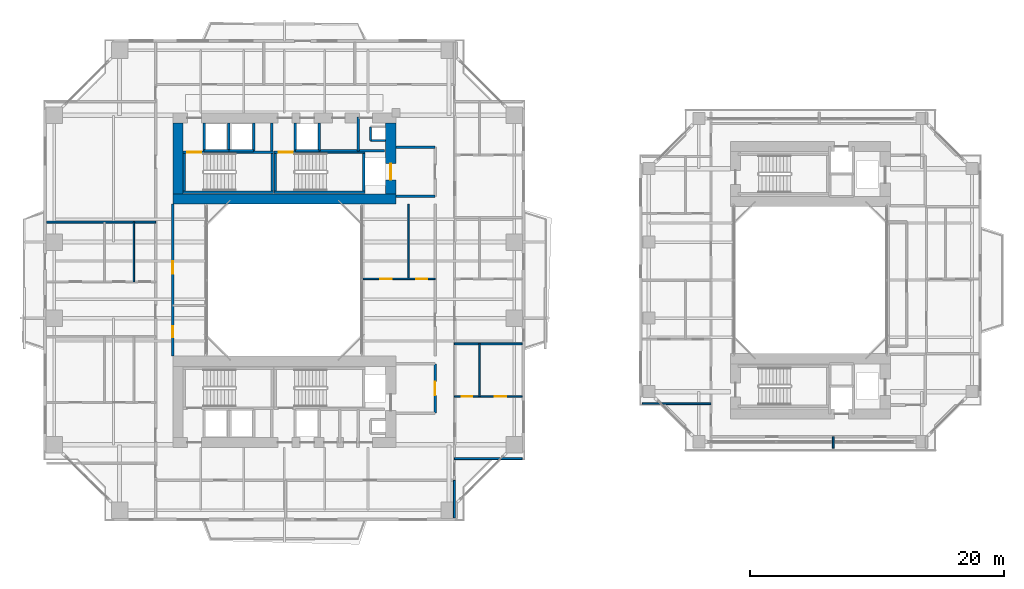
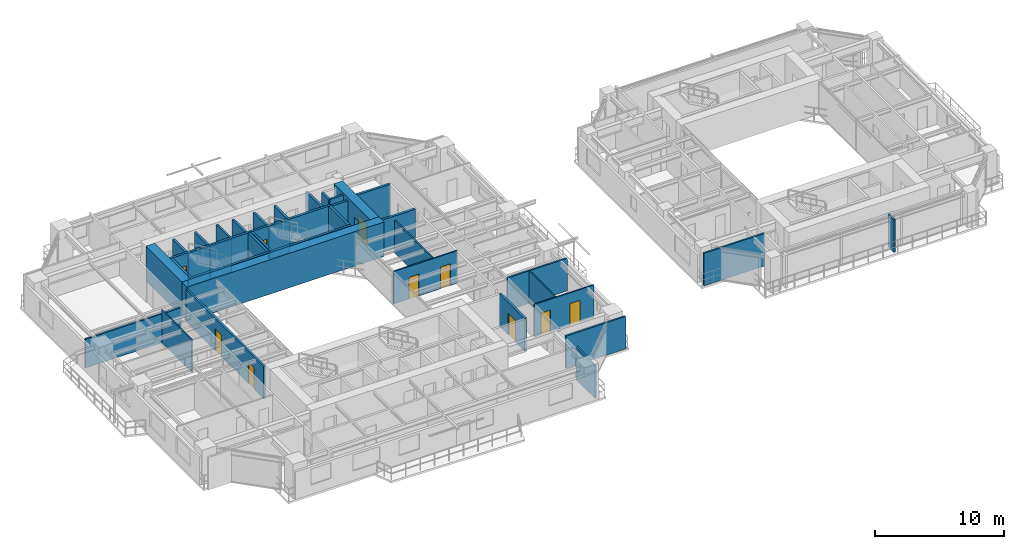
# One storey, part 14 of 24: 39 walls, 10 doors, 10 openings.
"""IFC4 building model written with IfcOpenShell, lengths in metres."""

from ifc_helpers import new_model, si_unit, direction, frame, frame_2d, origin, place, context, subcontext, project, spatial, rectangle, extrude, source, transform, mapped, material, layer, layer_set, type_object, element, fill, save


model = new_model("IFC4")

# Units and contexts
model_context = context("Model", 3, precision=1e-05, world=origin(), true_north=direction((0.0, 1.0)))
body_context = subcontext(model_context, "Body", "Model", "MODEL_VIEW")
ifc_project = project(units=[si_unit("LENGTHUNIT", "METRE"), si_unit("AREAUNIT", "SQUARE_METRE"), si_unit("VOLUMEUNIT", "CUBIC_METRE"), si_unit("PLANEANGLEUNIT", "RADIAN"), si_unit("MASSUNIT", "GRAM", prefix="KILO"), si_unit("THERMODYNAMICTEMPERATUREUNIT", "KELVIN"), si_unit("POWERUNIT", "WATT")], contexts=[model_context])

# Site, building, storey
site_placement = place(None, origin())
site = spatial("IfcSite", under=ifc_project, at=site_placement, CompositionType="ELEMENT")
building_placement = place(site_placement, origin())
building = spatial("IfcBuilding", under=site, at=building_placement, Name="Qiaomeng Ring Towers", CompositionType="ELEMENT")
storey_placement = place(building_placement, frame((0.0, 0.0, 36.0)))
storey = spatial("IfcBuildingStorey", under=building, at=storey_placement, Name="L09", CompositionType="ELEMENT", Elevation=36.0)

# Walls
ifc_material_1 = material(Name="Autoclaved aerated concrete block", Category="concrete")
ifc_layer_1 = layer(ifc_material_1, 0.199951171875, Name="Autoclaved aerated concrete block")
ifc_layer_set_1 = layer_set([ifc_layer_1], Name="Autoclaved aerated concrete block")
wall_type_1 = type_object("IfcWallType", Name="ARC-WL-PW1", PredefinedType="PARTITIONING", material=ifc_layer_set_1)
for number, where, z_axis, x_axis, name in (
    (1, (27.800048828125, 29.60009765625, 0.0), (0.0, 0.0, 1.0), (1.0, 0.0, 0.0), "L09 Interior Wall PW1"),
    (2, (27.800048828125, 33.5, 0.0), (0.0, 0.0, 1.0), (1.0, 0.0, 0.0), "L09 Interior Wall PW1"),
):
    element("IfcWall", number, at=place(storey_placement, frame(where, z_axis=z_axis, x_axis=x_axis)), inside=storey, type_object=wall_type_1, Name=name, PredefinedType="PARTITIONING", context=body_context, shape_type="SweptSolid", body=[
        extrude(rectangle(XDim=3.099853515625, YDim=0.199951171875, at=frame_2d((1.5498046875, 0.0))), origin(), (0.0, 0.0, 1.0), 3.070068359375),
    ])

# Wall, opening, door
wall_1_placement = place(storey_placement, frame((30.89990234375, 12.5, 0.0), z_axis=(0.0, 0.0, 1.0), x_axis=(0.0, 1.0, 0.0)))
wall_1 = element("IfcWall", 3, at=wall_1_placement, inside=storey, type_object=wall_type_1, Name="L09 Interior Wall PW1", PredefinedType="PARTITIONING", context=body_context, shape_type="SweptSolid", body=[
    extrude(rectangle(XDim=3.89990234375, YDim=0.199951171875, at=frame_2d((1.949951171875, 0.0))), origin(), (0.0, 0.0, 1.0), 3.070068359375),
])
opening_1_placement = place(wall_1_placement, frame((1.39990234375, 0.0, 0.0)))
opening_1 = element("IfcOpeningElement", 4, at=opening_1_placement, cuts=wall_1, Name="Opening FD3", PredefinedType="OPENING", context=body_context, shape_type="SweptSolid", body=[
    extrude(rectangle(XDim=1.10009765625, YDim=2.050048828125, at=frame_2d((0.550048828125, 1.02490234375))), frame((0.0, 0.10986328125, 0.0), z_axis=(0.0, -1.0, 0.0), x_axis=(1.0, 0.0, 0.0)), (0.0, 0.0, 1.0), 0.219970703125),
])
ifc_material_2 = material(Name="Galvanised steel", Category="steel")
door_type_1 = type_object("IfcDoorType", Name="ARC-DR-FD3", OperationType="NOTDEFINED", PredefinedType="DOOR", material=ifc_material_2)
shared_shape_1 = source(origin(), body_context, "Body", "SweptSolid", [
    extrude(rectangle(XDim=1.10009765625, YDim=2.050048828125, at=frame_2d((0.550048828125, 1.02490234375))), frame((0.0, 0.02490234375, 0.0), z_axis=(0.0, -1.0, 0.0), x_axis=(1.0, 0.0, 0.0)), (0.0, 0.0, 1.0), 0.050048828125),
])
door_1_placement = place(opening_1_placement, origin())
door_1 = element("IfcDoor", 5, at=door_1_placement, inside=storey, type_object=door_type_1, Name="L09 South FF Lobby Door", OperationType="SINGLE_SWING_LEFT", OverallHeight=2.050048828125, OverallWidth=1.10009765625, PredefinedType="DOOR", context=body_context, shape_type="MappedRepresentation", body=[
    mapped(shared_shape_1, transform((0.0, 0.0, 0.0), x_axis=(1.0, 0.0, 0.0), y_axis=(0.0, 1.0, 0.0), z_axis=(0.0, 0.0, 1.0), scale=1.0)),
])
fill(opening_1, door_1)

# Walls
for number, where, z_axis, x_axis, name in (
    (6, (12.679931640625, 33.18994140625, 0.0), (0.0, 0.0, 1.0), (0.0, 1.0, 0.0), "L09 Interior Wall PW1"),
    (7, (18.0, 33.18994140625, 0.0), (0.0, 0.0, 1.0), (0.0, 1.0, 0.0), "L09 Interior Wall PW1"),
    (8, (19.8798828125, 33.18994140625, 0.0), (0.0, 0.0, 1.0), (0.0, 1.0, 0.0), "L09 Interior Wall PW1"),
):
    element("IfcWall", number, at=place(storey_placement, frame(where, z_axis=z_axis, x_axis=x_axis)), inside=storey, type_object=wall_type_1, Name=name, PredefinedType="PARTITIONING", context=body_context, shape_type="SweptSolid", body=[
        extrude(rectangle(XDim=2.2099609375, YDim=0.199951171875, at=frame_2d((1.10498046875, 0.0))), origin(), (0.0, 0.0, 1.0), 3.070068359375),
    ])
wall_2_placement = place(storey_placement, frame((24.820068359375, 33.199951171875, 0.0), z_axis=(0.0, 0.0, 1.0), x_axis=(0.0, 1.0, 0.0)))
element("IfcWall", 9, at=wall_2_placement, inside=storey, type_object=wall_type_1, Name="L09 Interior Wall PW1", PredefinedType="PARTITIONING", context=body_context, shape_type="SweptSolid", body=[
    extrude(rectangle(XDim=2.650146484375, YDim=0.199951171875, at=frame_2d((1.3251953125, 0.0))), origin(), (0.0, 0.0, 1.0), 3.070068359375),
])
wall_3_placement = place(storey_placement, frame((21.75, 33.199951171875, 0.0), z_axis=(0.0, 0.0, 1.0), x_axis=(0.0, 1.0, 0.0)))
element("IfcWall", 10, at=wall_3_placement, inside=storey, type_object=wall_type_1, Name="L09 Interior Wall PW1", PredefinedType="PARTITIONING", context=body_context, shape_type="SweptSolid", body=[
    extrude(rectangle(XDim=2.199951171875, YDim=0.199951171875, at=frame_2d((1.10009765625, 0.0))), origin(), (0.0, 0.0, 1.0), 3.070068359375),
])
wall_4_placement = place(storey_placement, frame((21.75, 33.199951171875, 0.0), z_axis=(0.0, 0.0, 1.0), x_axis=(1.0, 0.0, 0.0)))
element("IfcWall", 11, at=wall_4_placement, inside=storey, type_object=wall_type_1, Name="L09 Interior Wall PW1", PredefinedType="PARTITIONING", context=body_context, shape_type="SweptSolid", body=[
    extrude(rectangle(XDim=5.169921875, YDim=0.199951171875, at=frame_2d((2.5849609375, 0.0))), origin(), (0.0, 0.0, 1.0), 3.070068359375),
])

# Wall, openings, doors
ifc_layer_2 = layer(ifc_material_1, 0.179931640625, Name="Autoclaved aerated concrete block")
ifc_layer_set_2 = layer_set([ifc_layer_2], Name="Autoclaved aerated concrete block")
wall_type_2 = type_object("IfcWallType", Name="ARC-WL-PW2", PredefinedType="PARTITIONING", material=ifc_layer_set_2)
wall_5_placement = place(storey_placement, frame((10.199951171875, 17.0, 0.0), z_axis=(0.0, 0.0, 1.0), x_axis=(0.0, 1.0, 0.0)))
wall_5 = element("IfcWall", 12, at=wall_5_placement, inside=storey, type_object=wall_type_2, Name="L09 Interior Wall PW2", PredefinedType="PARTITIONING", context=body_context, shape_type="SweptSolid", body=[
    extrude(rectangle(XDim=12.0, YDim=0.179931640625, at=frame_2d((6.0, 0.0))), origin(), (0.0, 0.0, 1.0), 3.070068359375),
])
opening_2_placement = place(wall_5_placement, frame((1.5, 0.0, 0.0)))
opening_2 = element("IfcOpeningElement", 13, at=opening_2_placement, cuts=wall_5, Name="Opening ID2", PredefinedType="OPENING", context=body_context, shape_type="SweptSolid", body=[
    extrude(rectangle(XDim=0.85009765625, YDim=2.050048828125, at=frame_2d((0.425048828125, 1.02490234375))), frame((0.0, 0.099853515625, 0.0), z_axis=(0.0, -1.0, 0.0), x_axis=(1.0, 0.0, 0.0)), (0.0, 0.0, 1.0), 0.199951171875),
])
opening_3_placement = place(wall_5_placement, frame((6.5, 0.0, 0.0)))
opening_3 = element("IfcOpeningElement", 14, at=opening_3_placement, cuts=wall_5, Name="Opening FD4", PredefinedType="OPENING", context=body_context, shape_type="SweptSolid", body=[
    extrude(rectangle(XDim=1.0, YDim=2.050048828125, at=frame_2d((0.5, 1.02490234375))), frame((0.0, 0.099853515625, 0.0), z_axis=(0.0, -1.0, 0.0), x_axis=(1.0, 0.0, 0.0)), (0.0, 0.0, 1.0), 0.199951171875),
])
ifc_material_3 = material(Name="Engineered fire-rated oak timber", Category="wood")
door_type_2 = type_object("IfcDoorType", Name="ARC-DR-FD4", OperationType="NOTDEFINED", PredefinedType="DOOR", material=ifc_material_3)
shared_shape_2 = source(origin(), body_context, "Body", "SweptSolid", [
    extrude(rectangle(XDim=1.0, YDim=2.050048828125, at=frame_2d((0.5, 1.02490234375))), frame((0.0, 0.02490234375, 0.0), z_axis=(0.0, -1.0, 0.0), x_axis=(1.0, 0.0, 0.0)), (0.0, 0.0, 1.0), 0.050048828125),
])
door_2_placement = place(opening_3_placement, origin())
door_2 = element("IfcDoor", 15, at=door_2_placement, inside=storey, type_object=door_type_2, Name="L09 Door FD4", OperationType="SINGLE_SWING_RIGHT", OverallHeight=2.050048828125, OverallWidth=1.0, PredefinedType="DOOR", context=body_context, shape_type="MappedRepresentation", body=[
    mapped(shared_shape_2, transform((0.0, 0.0, 0.0), x_axis=(1.0, 0.0, 0.0), y_axis=(0.0, 1.0, 0.0), z_axis=(0.0, 0.0, 1.0), scale=1.0)),
])
fill(opening_3, door_2)
ifc_material_4 = material(Name="Moisture-resistant engineered timber", Category="wood")
door_type_3 = type_object("IfcDoorType", Name="ARC-DR-ID2", OperationType="NOTDEFINED", PredefinedType="DOOR", material=ifc_material_4)
shared_shape_3 = source(origin(), body_context, "Body", "SweptSolid", [
    extrude(rectangle(XDim=0.85009765625, YDim=2.050048828125, at=frame_2d((0.425048828125, 1.02490234375))), frame((0.0, 0.02490234375, 0.0), z_axis=(0.0, -1.0, 0.0), x_axis=(1.0, 0.0, 0.0)), (0.0, 0.0, 1.0), 0.050048828125),
])
door_3_placement = place(opening_2_placement, origin())
door_3 = element("IfcDoor", 16, at=door_3_placement, inside=storey, type_object=door_type_3, Name="L09 Door ID2", OperationType="SINGLE_SWING_LEFT", OverallHeight=2.050048828125, OverallWidth=0.85009765625, PredefinedType="DOOR", context=body_context, shape_type="MappedRepresentation", body=[
    mapped(shared_shape_3, transform((0.0, 0.0, 0.0), x_axis=(1.0, 0.0, 0.0), y_axis=(0.0, 1.0, 0.0), z_axis=(0.0, 0.0, 1.0), scale=1.0)),
])
fill(opening_2, door_3)

# Walls
ifc_material_5 = material(Name="Gypsum fireboard steel-stud partition", Category="steel")
ifc_layer_3 = layer(ifc_material_5, 0.14990234375, Name="Gypsum fireboard steel-stud partition")
ifc_layer_set_3 = layer_set([ifc_layer_3], Name="Gypsum fireboard steel-stud partition")
wall_type_3 = type_object("IfcWallType", Name="ARC-WL-PW3", PredefinedType="PARTITIONING", material=ifc_layer_set_3)
wall_6_placement = place(storey_placement, frame((32.419921875, 4.25, 0.0), z_axis=(0.0, 0.0, 1.0), x_axis=(0.0, 1.0, 0.0)))
element("IfcWall", 17, at=wall_6_placement, inside=storey, type_object=wall_type_3, Name="L09 Interior Wall PW3", PredefinedType="PARTITIONING", context=body_context, shape_type="SweptSolid", body=[
    extrude(rectangle(XDim=2.9599609375, YDim=0.14990234375, at=frame_2d((1.47998046875, 0.0))), origin(), (0.0, 0.0, 1.0), 3.070068359375),
])
wall_7_placement = place(storey_placement, frame((0.25, 27.580078125, 0.0), z_axis=(0.0, 0.0, 1.0), x_axis=(1.0, 0.0, 0.0)))
element("IfcWall", 18, at=wall_7_placement, inside=storey, type_object=wall_type_3, Name="L09 Interior Wall PW3", PredefinedType="PARTITIONING", context=body_context, shape_type="SweptSolid", body=[
    extrude(rectangle(XDim=8.60009765625, YDim=0.14990234375, at=frame_2d((4.300048828125, 0.0))), origin(), (0.0, 0.0, 1.0), 2.715087890625),
])
for number, where, z_axis, x_axis, name in (
    (19, (32.419921875, 8.919921875, 0.0), (0.0, 0.0, 1.0), (1.0, 0.0, 0.0), "L09 Interior Wall PW3"),
    (20, (32.419921875, 17.969970703125, 0.0), (0.0, 0.0, 1.0), (1.0, 0.0, 0.0), "L09 Interior Wall PW3"),
):
    element("IfcWall", number, at=place(storey_placement, frame(where, z_axis=z_axis, x_axis=x_axis)), inside=storey, type_object=wall_type_3, Name=name, PredefinedType="PARTITIONING", context=body_context, shape_type="SweptSolid", body=[
        extrude(rectangle(XDim=5.330078125, YDim=0.14990234375, at=frame_2d((2.6650390625, 0.0))), origin(), (0.0, 0.0, 1.0), 3.070068359375),
    ])
wall_8_placement = place(storey_placement, frame((47.25, 13.25, 0.0), z_axis=(0.0, 0.0, 1.0), x_axis=(1.0, 0.0, 0.0)))
element("IfcWall", 21, at=wall_8_placement, inside=storey, type_object=wall_type_3, Name="L09 Interior Wall PW3", PredefinedType="PARTITIONING", context=body_context, shape_type="SweptSolid", body=[
    extrude(rectangle(XDim=5.39990234375, YDim=0.14990234375, at=frame_2d((2.699951171875, 0.0))), origin(), (0.0, 0.0, 1.0), 3.070068359375),
])
wall_9_placement = place(storey_placement, frame((62.300048828125, 9.75, 0.0), z_axis=(0.0, 0.0, 1.0), x_axis=(0.0, 1.0, 0.0)))
element("IfcWall", 22, at=wall_9_placement, inside=storey, type_object=wall_type_3, Name="L09 Interior Wall PW3", PredefinedType="PARTITIONING", context=body_context, shape_type="SweptSolid", body=[
    extrude(rectangle(XDim=0.89990234375, YDim=0.14990234375, at=frame_2d((0.449951171875, 0.0))), origin(), (0.0, 0.0, 1.0), 3.070068359375),
])
ifc_material_6 = material(Name="Moisture-resistant gypsum steel-stud partition", Category="steel")
ifc_layer_4 = layer(ifc_material_6, 0.1201171875, Name="Moisture-resistant gypsum steel-stud partition")
ifc_layer_set_4 = layer_set([ifc_layer_4], Name="Moisture-resistant gypsum steel-stud partition")
wall_type_4 = type_object("IfcWallType", Name="ARC-WL-PW4", PredefinedType="PLUMBINGWALL", material=ifc_layer_set_4)
wall_10_placement = place(storey_placement, frame((7.1298828125, 22.8701171875, 0.0), z_axis=(0.0, 0.0, 1.0), x_axis=(0.0, 1.0, 0.0)))
element("IfcWall", 23, at=wall_10_placement, inside=storey, type_object=wall_type_4, Name="L09 Interior Wall PW4", PredefinedType="PLUMBINGWALL", context=body_context, shape_type="SweptSolid", body=[
    extrude(rectangle(XDim=4.7099609375, YDim=0.1201171875, at=frame_2d((2.35498046875, 0.0))), origin(), (0.0, 0.0, 1.0), 3.070068359375),
])

# Wall, openings, doors
wall_11_placement = place(storey_placement, frame((32.419921875, 13.81005859375, 0.0), z_axis=(0.0, 0.0, 1.0), x_axis=(1.0, 0.0, 0.0)))
wall_11 = element("IfcWall", 24, at=wall_11_placement, inside=storey, type_object=wall_type_4, Name="L09 Interior Wall PW4", PredefinedType="PLUMBINGWALL", context=body_context, shape_type="SweptSolid", body=[
    extrude(rectangle(XDim=5.330078125, YDim=0.1201171875, at=frame_2d((2.6650390625, 0.0))), origin(), (0.0, 0.0, 1.0), 3.070068359375),
])
opening_4_placement = place(wall_11_placement, frame((0.570068359375, 0.0, 0.0)))
opening_4 = element("IfcOpeningElement", 25, at=opening_4_placement, cuts=wall_11, Name="Opening ID2", PredefinedType="OPENING", context=body_context, shape_type="SweptSolid", body=[
    extrude(rectangle(XDim=0.85009765625, YDim=2.050048828125, at=frame_2d((0.425048828125, 1.02490234375))), frame((0.0, 0.070068359375, 0.0), z_axis=(0.0, -1.0, 0.0), x_axis=(1.0, 0.0, 0.0)), (0.0, 0.0, 1.0), 0.14013671875),
])
opening_5_placement = place(wall_11_placement, frame((3.18994140625, 0.0, 0.0)))
opening_5 = element("IfcOpeningElement", 26, at=opening_5_placement, cuts=wall_11, Name="Opening ID1", PredefinedType="OPENING", context=body_context, shape_type="SweptSolid", body=[
    extrude(rectangle(XDim=0.89990234375, YDim=2.050048828125, at=frame_2d((0.449951171875, 1.02490234375))), frame((0.0, 0.070068359375, 0.0), z_axis=(0.0, -1.0, 0.0), x_axis=(1.0, 0.0, 0.0)), (0.0, 0.0, 1.0), 0.14013671875),
])
door_4_placement = place(opening_4_placement, origin())
door_4 = element("IfcDoor", 27, at=door_4_placement, inside=storey, type_object=door_type_3, Name="L09 Door ID2", OperationType="SINGLE_SWING_LEFT", OverallHeight=2.050048828125, OverallWidth=0.85009765625, PredefinedType="DOOR", context=body_context, shape_type="MappedRepresentation", body=[
    mapped(shared_shape_3, transform((0.0, 0.0, 0.0), x_axis=(1.0, 0.0, 0.0), y_axis=(0.0, 1.0, 0.0), z_axis=(0.0, 0.0, 1.0), scale=1.0)),
])
fill(opening_4, door_4)
ifc_material_7 = material(Name="Engineered oak timber", Category="wood")
door_type_4 = type_object("IfcDoorType", Name="ARC-DR-ID1", OperationType="NOTDEFINED", PredefinedType="DOOR", material=ifc_material_7)
shared_shape_4 = source(origin(), body_context, "Body", "SweptSolid", [
    extrude(rectangle(XDim=0.89990234375, YDim=2.050048828125, at=frame_2d((0.449951171875, 1.02490234375))), frame((0.0, 0.02490234375, 0.0), z_axis=(0.0, -1.0, 0.0), x_axis=(1.0, 0.0, 0.0)), (0.0, 0.0, 1.0), 0.050048828125),
])
door_5_placement = place(opening_5_placement, origin())
door_5 = element("IfcDoor", 28, at=door_5_placement, inside=storey, type_object=door_type_4, Name="L09 Door ID1", OperationType="SINGLE_SWING_RIGHT", OverallHeight=2.050048828125, OverallWidth=0.89990234375, PredefinedType="DOOR", context=body_context, shape_type="MappedRepresentation", body=[
    mapped(shared_shape_4, transform((0.0, 0.0, 0.0), x_axis=(1.0, 0.0, 0.0), y_axis=(0.0, 1.0, 0.0), z_axis=(0.0, 0.0, 1.0), scale=1.0)),
])
fill(opening_5, door_5)

# Wall
wall_12_placement = place(storey_placement, frame((34.389892578125, 13.81005859375, 0.0), z_axis=(0.0, 0.0, 1.0), x_axis=(0.0, 1.0, 0.0)))
element("IfcWall", 29, at=wall_12_placement, inside=storey, type_object=wall_type_4, Name="L09 Interior Wall PW4", PredefinedType="PLUMBINGWALL", context=body_context, shape_type="SweptSolid", body=[
    extrude(rectangle(XDim=4.159912109375, YDim=0.1201171875, at=frame_2d((2.080078125, 0.0))), origin(), (0.0, 0.0, 1.0), 3.070068359375),
])

# Wall, openings, doors
wall_13_placement = place(storey_placement, frame((25.219970703125, 23.10009765625, 0.0), z_axis=(0.0, 0.0, 1.0), x_axis=(1.0, 0.0, 0.0)))
wall_13 = element("IfcWall", 30, at=wall_13_placement, inside=storey, type_object=wall_type_4, Name="L09 Interior Wall PW4", PredefinedType="PLUMBINGWALL", context=body_context, shape_type="SweptSolid", body=[
    extrude(rectangle(XDim=5.679931640625, YDim=0.1201171875, at=frame_2d((2.83984375, 0.0))), origin(), (0.0, 0.0, 1.0), 3.070068359375),
])
opening_6_placement = place(wall_13_placement, frame((1.35009765625, 0.0, 0.0)))
opening_6 = element("IfcOpeningElement", 31, at=opening_6_placement, cuts=wall_13, Name="Opening ID1", PredefinedType="OPENING", context=body_context, shape_type="SweptSolid", body=[
    extrude(rectangle(XDim=0.89990234375, YDim=2.050048828125, at=frame_2d((0.449951171875, 1.02490234375))), frame((0.0, 0.070068359375, 0.0), z_axis=(0.0, -1.0, 0.0), x_axis=(1.0, 0.0, 0.0)), (0.0, 0.0, 1.0), 0.14013671875),
])
opening_7_placement = place(wall_13_placement, frame((4.195068359375, 0.0, 0.0)))
opening_7 = element("IfcOpeningElement", 32, at=opening_7_placement, cuts=wall_13, Name="Opening ID2", PredefinedType="OPENING", context=body_context, shape_type="SweptSolid", body=[
    extrude(rectangle(XDim=0.85009765625, YDim=2.050048828125, at=frame_2d((0.425048828125, 1.02490234375))), frame((0.0, 0.070068359375, 0.0), z_axis=(0.0, -1.0, 0.0), x_axis=(1.0, 0.0, 0.0)), (0.0, 0.0, 1.0), 0.14013671875),
])
door_6_placement = place(opening_7_placement, origin())
door_6 = element("IfcDoor", 33, at=door_6_placement, inside=storey, type_object=door_type_3, Name="L09 Door ID2", OperationType="SINGLE_SWING_LEFT", OverallHeight=2.050048828125, OverallWidth=0.85009765625, PredefinedType="DOOR", context=body_context, shape_type="MappedRepresentation", body=[
    mapped(shared_shape_3, transform((0.0, 0.0, 0.0), x_axis=(1.0, 0.0, 0.0), y_axis=(0.0, 1.0, 0.0), z_axis=(0.0, 0.0, 1.0), scale=1.0)),
])
fill(opening_7, door_6)
door_7_placement = place(opening_6_placement, origin())
door_7 = element("IfcDoor", 34, at=door_7_placement, inside=storey, type_object=door_type_4, Name="L09 Door ID1", OperationType="SINGLE_SWING_RIGHT", OverallHeight=2.050048828125, OverallWidth=0.89990234375, PredefinedType="DOOR", context=body_context, shape_type="MappedRepresentation", body=[
    mapped(shared_shape_4, transform((0.0, 0.0, 0.0), x_axis=(1.0, 0.0, 0.0), y_axis=(0.0, 1.0, 0.0), z_axis=(0.0, 0.0, 1.0), scale=1.0)),
])
fill(opening_6, door_7)

# Walls
wall_14_placement = place(storey_placement, frame((28.800048828125, 23.10009765625, 0.0), z_axis=(0.0, 0.0, 1.0), x_axis=(0.0, 1.0, 0.0)))
element("IfcWall", 35, at=wall_14_placement, inside=storey, type_object=wall_type_4, Name="L09 Interior Wall PW4", PredefinedType="PLUMBINGWALL", context=body_context, shape_type="SweptSolid", body=[
    extrude(rectangle(XDim=5.89990234375, YDim=0.1201171875, at=frame_2d((2.949951171875, 0.0))), origin(), (0.0, 0.0, 1.0), 3.070068359375),
])
ifc_material_8 = material(Name="Concrete C40", Category="concrete")
ifc_layer_5 = layer(ifc_material_8, 0.199951171875, Name="Concrete C40")
ifc_layer_set_5 = layer_set([ifc_layer_5], Name="Concrete C40")
wall_type_5 = type_object("IfcWallType", Name="STR-WL-STSHAFT", PredefinedType="SHEAR", material=ifc_layer_set_5)
wall_15_placement = place(storey_placement, frame((12.679931640625, 33.199951171875, 0.0), z_axis=(0.0, 0.0, 1.0), x_axis=(1.0, 0.0, 0.0)))
element("IfcWall", 36, at=wall_15_placement, inside=storey, type_object=wall_type_5, Name="L09 Lift LP5 Shaft Back Wall", PredefinedType="SHEAR", context=body_context, shape_type="SweptSolid", body=[
    extrude(rectangle(XDim=1.940185546875, YDim=0.179931640625, at=frame_2d((0.97021484375, 0.0))), origin(), (0.0, 0.0, 1.0), 3.070068359375),
])
wall_16_placement = place(storey_placement, frame((14.6201171875, 33.199951171875, 0.0), z_axis=(0.0, 0.0, 1.0), x_axis=(0.0, 1.0, 0.0)))
element("IfcWall", 37, at=wall_16_placement, inside=storey, type_object=wall_type_5, Name="L09 Lift LP5-LP3 Shaft Divider Wall", PredefinedType="SHEAR", context=body_context, shape_type="SweptSolid", body=[
    extrude(rectangle(XDim=2.199951171875, YDim=0.179931640625, at=frame_2d((1.10009765625, 0.0))), origin(), (0.0, 0.0, 1.0), 3.070068359375),
])
wall_17_placement = place(storey_placement, frame((25.800048828125, 34.02001953125, 0.0), z_axis=(0.0, 0.0, 1.0), x_axis=(0.0, 1.0, 0.0)))
element("IfcWall", 38, at=wall_17_placement, inside=storey, type_object=wall_type_5, Name="L09 Riser RSR1 West Shaft Wall N", PredefinedType="SHEAR", context=body_context, shape_type="SweptSolid", body=[
    extrude(rectangle(XDim=1.06005859375, YDim=0.179931640625, at=frame_2d((0.530029296875, 0.0))), origin(), (0.0, 0.0, 1.0), 3.070068359375),
])
wall_18_placement = place(storey_placement, frame((25.800048828125, 34.02001953125, 0.0), z_axis=(0.0, 0.0, 1.0), x_axis=(1.0, 0.0, 0.0)))
element("IfcWall", 39, at=wall_18_placement, inside=storey, type_object=wall_type_5, Name="L09 Riser RSR1 South Shaft Wall N", PredefinedType="SHEAR", context=body_context, shape_type="SweptSolid", body=[
    extrude(rectangle(XDim=1.199951171875, YDim=0.179931640625, at=frame_2d((0.60009765625, 0.0))), origin(), (0.0, 0.0, 1.0), 3.070068359375),
])
wall_19_placement = place(storey_placement, frame((14.6201171875, 33.199951171875, 0.0), z_axis=(0.0, 0.0, 1.0), x_axis=(1.0, 0.0, 0.0)))
element("IfcWall", 40, at=wall_19_placement, inside=storey, type_object=wall_type_5, Name="L09 Lift LP3 Shaft Back Wall", PredefinedType="SHEAR", context=body_context, shape_type="SweptSolid", body=[
    extrude(rectangle(XDim=1.9599609375, YDim=0.179931640625, at=frame_2d((0.97998046875, 0.0))), origin(), (0.0, 0.0, 1.0), 3.070068359375),
])
wall_20_placement = place(storey_placement, frame((16.580078125, 33.199951171875, 0.0), z_axis=(0.0, 0.0, 1.0), x_axis=(0.0, 1.0, 0.0)))
element("IfcWall", 41, at=wall_20_placement, inside=storey, type_object=wall_type_5, Name="L09 Lift LP3 East Shaft Wall", PredefinedType="SHEAR", context=body_context, shape_type="SweptSolid", body=[
    extrude(rectangle(XDim=2.199951171875, YDim=0.179931640625, at=frame_2d((1.10009765625, 0.0))), origin(), (0.0, 0.0, 1.0), 3.070068359375),
])
wall_21_placement = place(storey_placement, frame((19.8798828125, 33.199951171875, 0.0), z_axis=(0.0, 0.0, 1.0), x_axis=(1.0, 0.0, 0.0)))
element("IfcWall", 42, at=wall_21_placement, inside=storey, type_object=wall_type_5, Name="L09 Lift LP1 Shaft Back Wall", PredefinedType="SHEAR", context=body_context, shape_type="SweptSolid", body=[
    extrude(rectangle(XDim=1.8701171875, YDim=0.179931640625, at=frame_2d((0.93505859375, 0.0))), origin(), (0.0, 0.0, 1.0), 3.070068359375),
])
wall_22_placement = place(storey_placement, frame((11.0, 29.949951171875, 0.0), z_axis=(0.0, 0.0, 1.0), x_axis=(1.0, 0.0, 0.0)))
element("IfcWall", 43, at=wall_22_placement, inside=storey, type_object=wall_type_5, Name="L09 Stair ST1 South Shaft Shear Wall", PredefinedType="SHEAR", context=body_context, shape_type="SweptSolid", body=[
    extrude(rectangle(XDim=7.14990234375, YDim=0.199951171875, at=frame_2d((3.574951171875, 0.0))), origin(), (0.0, 0.0, 1.0), 3.25),
])

# Wall, opening, door
wall_23_placement = place(storey_placement, frame((11.0, 33.090087890625, 0.0), z_axis=(0.0, 0.0, 1.0), x_axis=(1.0, 0.0, 0.0)))
wall_23 = element("IfcWall", 44, at=wall_23_placement, inside=storey, type_object=wall_type_5, Name="L09 Stair ST1 North Shaft Shear Wall", PredefinedType="SHEAR", context=body_context, shape_type="SweptSolid", body=[
    extrude(rectangle(XDim=7.14990234375, YDim=0.199951171875, at=frame_2d((3.574951171875, 0.0))), origin(), (0.0, 0.0, 1.0), 3.25),
])
opening_8_placement = place(wall_23_placement, frame((0.35009765625, 0.0, 0.0)))
opening_8 = element("IfcOpeningElement", 45, at=opening_8_placement, cuts=wall_23, Name="Opening FD3", PredefinedType="OPENING", context=body_context, shape_type="SweptSolid", body=[
    extrude(rectangle(XDim=1.10009765625, YDim=2.050048828125, at=frame_2d((0.550048828125, 1.02490234375))), frame((0.0, 0.10986328125, 0.0), z_axis=(0.0, -1.0, 0.0), x_axis=(1.0, 0.0, 0.0)), (0.0, 0.0, 1.0), 0.219970703125),
])
door_8_placement = place(opening_8_placement, origin())
door_8 = element("IfcDoor", 46, at=door_8_placement, inside=storey, type_object=door_type_1, Name="L09 Stair ST1 Exit Door", OperationType="SINGLE_SWING_LEFT", OverallHeight=2.050048828125, OverallWidth=1.10009765625, PredefinedType="DOOR", context=body_context, shape_type="MappedRepresentation", body=[
    mapped(shared_shape_1, transform((0.0, 0.0, 0.0), x_axis=(1.0, 0.0, 0.0), y_axis=(0.0, 1.0, 0.0), z_axis=(0.0, 0.0, 1.0), scale=1.0)),
])
fill(opening_8, door_8)

# Walls
for number, where, z_axis, x_axis, name in (
    (47, (11.10009765625, 30.050048828125, 0.0), (0.0, 0.0, 1.0), (0.0, 1.0, 0.0), "L09 Stair ST1 West Shaft Shear Wall"),
    (48, (18.050048828125, 30.050048828125, 0.0), (0.0, 0.0, 1.0), (0.0, 1.0, 0.0), "L09 Stair ST1 East Shaft Shear Wall"),
):
    element("IfcWall", number, at=place(storey_placement, frame(where, z_axis=z_axis, x_axis=x_axis)), inside=storey, type_object=wall_type_5, Name=name, PredefinedType="SHEAR", context=body_context, shape_type="SweptSolid", body=[
        extrude(rectangle(XDim=2.93994140625, YDim=0.199951171875, at=frame_2d((1.469970703125, 0.0))), origin(), (0.0, 0.0, 1.0), 3.25),
    ])
wall_24_placement = place(storey_placement, frame((18.199951171875, 29.949951171875, 0.0), z_axis=(0.0, 0.0, 1.0), x_axis=(1.0, 0.0, 0.0)))
element("IfcWall", 49, at=wall_24_placement, inside=storey, type_object=wall_type_5, Name="L09 Stair ST2 South Shaft Shear Wall", PredefinedType="SHEAR", context=body_context, shape_type="SweptSolid", body=[
    extrude(rectangle(XDim=7.150146484375, YDim=0.199951171875, at=frame_2d((3.5751953125, 0.0))), origin(), (0.0, 0.0, 1.0), 3.25),
])

# Wall, opening, door
wall_25_placement = place(storey_placement, frame((18.199951171875, 33.090087890625, 0.0), z_axis=(0.0, 0.0, 1.0), x_axis=(1.0, 0.0, 0.0)))
wall_25 = element("IfcWall", 50, at=wall_25_placement, inside=storey, type_object=wall_type_5, Name="L09 Stair ST2 North Shaft Shear Wall", PredefinedType="SHEAR", context=body_context, shape_type="SweptSolid", body=[
    extrude(rectangle(XDim=7.150146484375, YDim=0.199951171875, at=frame_2d((3.5751953125, 0.0))), origin(), (0.0, 0.0, 1.0), 3.25),
])
opening_9_placement = place(wall_25_placement, frame((0.35009765625, 0.0, 0.0)))
opening_9 = element("IfcOpeningElement", 51, at=opening_9_placement, cuts=wall_25, Name="Opening FD3", PredefinedType="OPENING", context=body_context, shape_type="SweptSolid", body=[
    extrude(rectangle(XDim=1.10009765625, YDim=2.050048828125, at=frame_2d((0.550048828125, 1.02490234375))), frame((0.0, 0.10986328125, 0.0), z_axis=(0.0, -1.0, 0.0), x_axis=(1.0, 0.0, 0.0)), (0.0, 0.0, 1.0), 0.219970703125),
])
door_9_placement = place(opening_9_placement, origin())
door_9 = element("IfcDoor", 52, at=door_9_placement, inside=storey, type_object=door_type_1, Name="L09 Stair ST2 Exit Door", OperationType="SINGLE_SWING_LEFT", OverallHeight=2.050048828125, OverallWidth=1.10009765625, PredefinedType="DOOR", context=body_context, shape_type="MappedRepresentation", body=[
    mapped(shared_shape_1, transform((0.0, 0.0, 0.0), x_axis=(1.0, 0.0, 0.0), y_axis=(0.0, 1.0, 0.0), z_axis=(0.0, 0.0, 1.0), scale=1.0)),
])
fill(opening_9, door_9)

# Walls
for number, where, z_axis, x_axis, name in (
    (53, (18.300048828125, 30.050048828125, 0.0), (0.0, 0.0, 1.0), (0.0, 1.0, 0.0), "L09 Stair ST2 West Shaft Shear Wall"),
    (54, (25.25, 30.050048828125, 0.0), (0.0, 0.0, 1.0), (0.0, 1.0, 0.0), "L09 Stair ST2 East Shaft Shear Wall"),
):
    element("IfcWall", number, at=place(storey_placement, frame(where, z_axis=z_axis, x_axis=x_axis)), inside=storey, type_object=wall_type_5, Name=name, PredefinedType="SHEAR", context=body_context, shape_type="SweptSolid", body=[
        extrude(rectangle(XDim=2.93994140625, YDim=0.199951171875, at=frame_2d((1.469970703125, 0.0))), origin(), (0.0, 0.0, 1.0), 3.25),
    ])
ifc_material_9 = material(Name="Concrete C60", Category="concrete")
ifc_layer_6 = layer(ifc_material_9, 0.800048828125, Name="Concrete C60")
ifc_layer_set_6 = layer_set([ifc_layer_6], Name="Concrete C60")
wall_type_6 = type_object("IfcWallType", Name="STR-WL-SW1", PredefinedType="SHEAR", material=ifc_layer_set_6)
wall_26_placement = place(storey_placement, frame((10.199951171875, 29.39990234375, 0.0), z_axis=(0.0, 0.0, 1.0), x_axis=(1.0, 0.0, 0.0)))
element("IfcWall", 55, at=wall_26_placement, inside=storey, type_object=wall_type_6, Name="L09 T1NC south core shear wall", PredefinedType="SHEAR", context=body_context, shape_type="SweptSolid", body=[
    extrude(rectangle(XDim=17.60009765625, YDim=0.800048828125, at=frame_2d((8.800048828125, 0.0))), origin(), (0.0, 0.0, 1.0), 3.25),
])
wall_27_placement = place(storey_placement, frame((10.60009765625, 29.800048828125, 0.0), z_axis=(0.0, 0.0, 1.0), x_axis=(0.0, 1.0, 0.0)))
element("IfcWall", 56, at=wall_27_placement, inside=storey, type_object=wall_type_6, Name="L09 T1NC west core shear wall", PredefinedType="SHEAR", context=body_context, shape_type="SweptSolid", body=[
    extrude(rectangle(XDim=5.599853515625, YDim=0.800048828125, at=frame_2d((2.7998046875, 0.0))), origin(), (0.0, 0.0, 1.0), 3.25),
])

# Wall, opening, door
wall_28_placement = place(storey_placement, frame((27.39990234375, 29.800048828125, 0.0), z_axis=(0.0, 0.0, 1.0), x_axis=(0.0, 1.0, 0.0)))
wall_28 = element("IfcWall", 57, at=wall_28_placement, inside=storey, type_object=wall_type_6, Name="L09 T1NC east core shear wall", PredefinedType="SHEAR", context=body_context, shape_type="SweptSolid", body=[
    extrude(rectangle(XDim=5.599853515625, YDim=0.800048828125, at=frame_2d((2.7998046875, 0.0))), origin(), (0.0, 0.0, 1.0), 3.25),
])
opening_10_placement = place(wall_28_placement, frame((1.10009765625, 0.0, 0.0)))
opening_10 = element("IfcOpeningElement", 58, at=opening_10_placement, cuts=wall_28, Name="Opening LD2", PredefinedType="OPENING", context=body_context, shape_type="SweptSolid", body=[
    extrude(rectangle(XDim=1.300048828125, YDim=2.050048828125, at=frame_2d((0.64990234375, 1.02490234375))), frame((0.0, 0.409912109375, 0.0), z_axis=(0.0, -1.0, 0.0), x_axis=(1.0, 0.0, 0.0)), (0.0, 0.0, 1.0), 0.820068359375),
])
ifc_material_10 = material(Name="Stainless steel 316", Category="steel")
door_type_5 = type_object("IfcDoorType", Name="ARC-DR-LD2", OperationType="NOTDEFINED", PredefinedType="DOOR", material=ifc_material_10)
shared_shape_5 = source(origin(), body_context, "Body", "SweptSolid", [
    extrude(rectangle(XDim=1.300048828125, YDim=2.050048828125, at=frame_2d((0.64990234375, 1.02490234375))), frame((0.0, 0.02490234375, 0.0), z_axis=(0.0, -1.0, 0.0), x_axis=(1.0, 0.0, 0.0)), (0.0, 0.0, 1.0), 0.050048828125),
])
door_10_placement = place(opening_10_placement, origin())
door_10 = element("IfcDoor", 59, at=door_10_placement, inside=storey, type_object=door_type_5, Name="L09 Firefighting Lift FL1 Landing Door", OperationType="SLIDING_TO_LEFT", OverallHeight=2.050048828125, OverallWidth=1.300048828125, PredefinedType="DOOR", context=body_context, shape_type="MappedRepresentation", body=[
    mapped(shared_shape_5, transform((0.0, 0.0, 0.0), x_axis=(1.0, 0.0, 0.0), y_axis=(0.0, 1.0, 0.0), z_axis=(0.0, 0.0, 1.0), scale=1.0)),
])
fill(opening_10, door_10)

save(model, "model.ifc")
